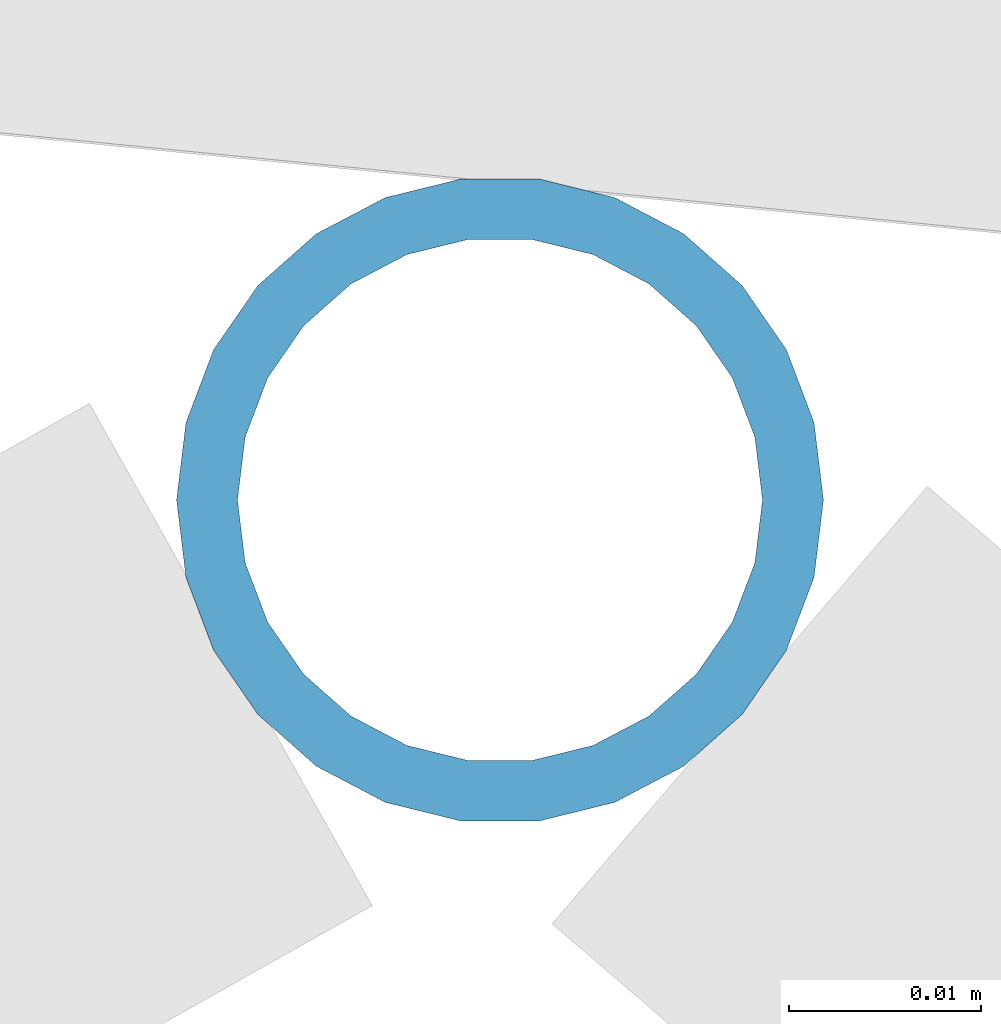
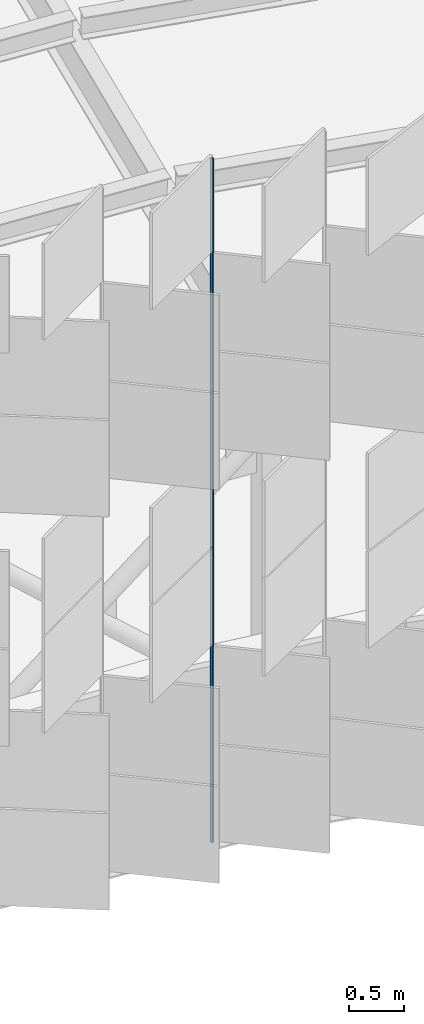
# One storey, part 240 of 483: 1 discrete accessory.
"""IFC4 building model written with IfcOpenShell, lengths in metres."""

from ifc_helpers import new_model, si_unit, direction, frame, origin, origin_2d, place, context, subcontext, project, spatial, hollow_circle, extrude, material, material_profile, profile_set, type_object, element, save


model = new_model("IFC4")

# Units and contexts
model_context = context("Model", 3, precision=1e-05, world=origin(), true_north=direction((0.0, 1.0)))
body_context = subcontext(model_context, "Body", "Model", "MODEL_VIEW")
ifc_project = project(units=[si_unit("LENGTHUNIT", "METRE"), si_unit("AREAUNIT", "SQUARE_METRE"), si_unit("VOLUMEUNIT", "CUBIC_METRE"), si_unit("PLANEANGLEUNIT", "RADIAN"), si_unit("MASSUNIT", "GRAM", prefix="KILO")], contexts=[model_context])

# Site, building, storey
site_placement = place(None, origin())
site = spatial("IfcSite", under=ifc_project, at=site_placement, CompositionType="ELEMENT")
building_placement = place(site_placement, origin())
building = spatial("IfcBuilding", under=site, at=building_placement, Name="Parallax Yard Mobility Hub", CompositionType="ELEMENT")
storey_placement = place(building_placement, frame((0.0, 0.0, 13.199951171875)))
storey = spatial("IfcBuildingStorey", under=building, at=storey_placement, Name="L04", CompositionType="ELEMENT", Elevation=13.199951171875)

# Discrete accessory
ifc_material = material(Name="Steel ASTM A500 Gr C, hot-dip galvanised", Category="steel")
ifc_material_profile = material_profile(ifc_material, hollow_circle(Radius=0.016845703125, WallThickness=0.003173828125, at=origin_2d()), Name="CHS 33.7x3.2")
ifc_profile_set = profile_set([ifc_material_profile], Name="Steel ASTM A500 Gr C, hot-dip galvanised")
discrete_accessory_type = type_object("IfcDiscreteAccessoryType", Name="Hinge post CHS 33.7x3.2", PredefinedType="BRACKET", material=ifc_profile_set)
discrete_accessory_placement = place(storey_placement, frame((174.747314453125, 111.37060546875, 0.0), z_axis=(0.0, 0.0, 1.0), x_axis=(1.0, 0.0, 0.0)))
element("IfcDiscreteAccessory", 1, at=discrete_accessory_placement, inside=storey, type_object=discrete_accessory_type, Name="Hinge post bay 18.3 level L04", PredefinedType="BRACKET", context=body_context, shape_type="SweptSolid", body=[
    extrude(hollow_circle(Radius=0.016845703125, WallThickness=0.003173828125, at=origin_2d()), origin(), (0.0, 0.0, 1.0), 7.650146484375),
])

save(model, "model.ifc")
